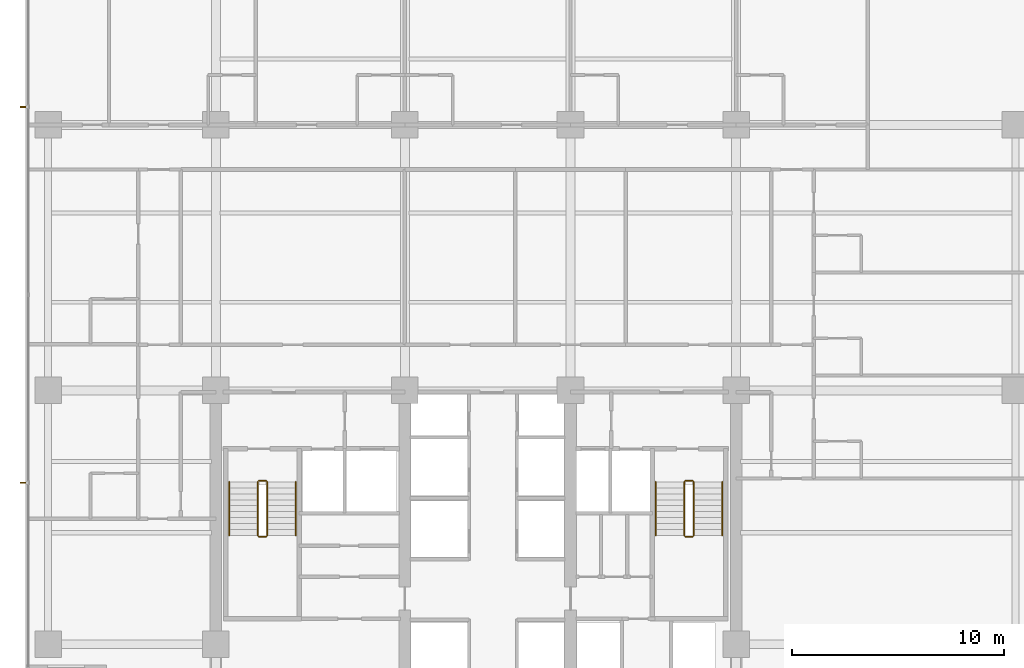
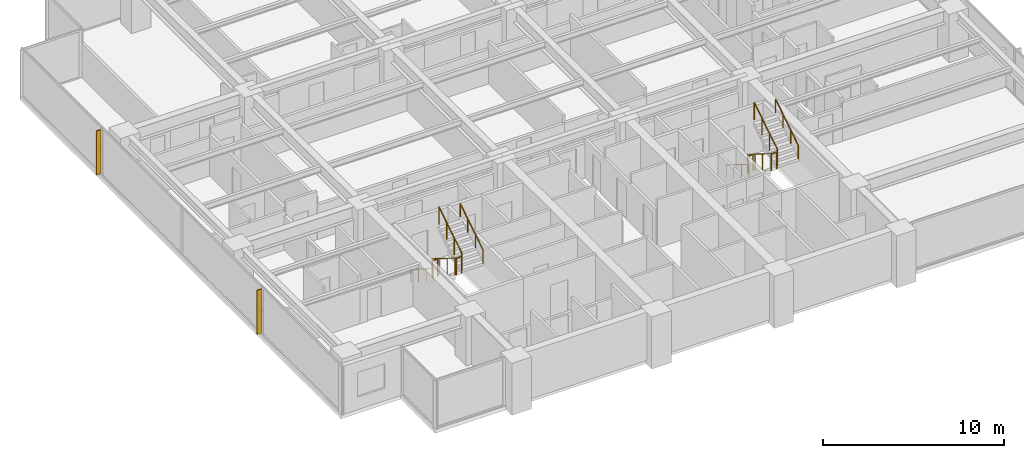
# One storey, part 16 of 17: 12 railings, 2 shading devices.
"""IFC4 building model written with IfcOpenShell, lengths in metres."""

from ifc_helpers import new_model, si_unit, direction, frame, origin, origin_2d, place, context, subcontext, project, spatial, polyline, circle, outline, extrude, material, layer, layer_set, type_object, element, save


model = new_model("IFC4")

# Units and contexts
model_context = context("Model", 3, precision=1e-05, world=origin(), true_north=direction((0.0, 1.0)))
body_context = subcontext(model_context, "Body", "Model", "MODEL_VIEW")
ifc_project = project(units=[si_unit("LENGTHUNIT", "METRE"), si_unit("AREAUNIT", "SQUARE_METRE"), si_unit("VOLUMEUNIT", "CUBIC_METRE"), si_unit("PLANEANGLEUNIT", "RADIAN"), si_unit("MASSUNIT", "GRAM", prefix="KILO")], contexts=[model_context])

# Site, building, storey
site_placement = place(None, origin())
site = spatial("IfcSite", under=ifc_project, at=site_placement, CompositionType="ELEMENT")
building_placement = place(site_placement, origin())
building = spatial("IfcBuilding", under=site, at=building_placement, Name="Qalmaran Belvedere Hotel", CompositionType="ELEMENT")
storey_placement = place(building_placement, frame((0.0, 0.0, 88.199951171875)))
storey = spatial("IfcBuildingStorey", under=building, at=storey_placement, Name="L21", CompositionType="ELEMENT", Elevation=88.199951171875)

# Shading devices
ifc_material_1 = material(Name="Anodised Bronze Aluminium", Category="aluminium")
ifc_layer = layer(ifc_material_1, 0.06494140625, Name="Anodised Bronze Aluminium")
ifc_layer_set = layer_set([ifc_layer], Name="Anodised Bronze Aluminium")
shading_device_type = type_object("IfcShadingDeviceType", Name="FIN-BRNZ-300", PredefinedType="USERDEFINED", material=ifc_layer_set)
shading_device_1_placement = place(storey_placement, frame((0.0, 0.0, 0.16015625)))
element("IfcShadingDevice", 1, at=shading_device_1_placement, inside=storey, type_object=shading_device_type, Name="L21 Bronze Fin 1", ObjectType="FIN", PredefinedType="USERDEFINED", context=body_context, shape_type="SweptSolid", body=[
    extrude(outline(polyline([(11.3798828125, 33.882568359375), (11.080078125, 33.882568359375), (11.080078125, 33.8173828125), (11.3798828125, 33.8173828125), (11.3798828125, 33.882568359375)])), origin(), (0.0, 0.0, 1.0), 2.9599609375),
])
shading_device_2_placement = place(storey_placement, frame((0.0, 0.0, 0.16015625)))
element("IfcShadingDevice", 2, at=shading_device_2_placement, inside=storey, type_object=shading_device_type, Name="L21 Bronze Fin 3", ObjectType="FIN", PredefinedType="USERDEFINED", context=body_context, shape_type="SweptSolid", body=[
    extrude(outline(polyline([(11.3798828125, 16.1826171875), (11.080078125, 16.1826171875), (11.080078125, 16.117431640625), (11.3798828125, 16.117431640625), (11.3798828125, 16.1826171875)])), origin(), (0.0, 0.0, 1.0), 2.9599609375),
])

# Railings
ifc_material_2 = material(Name="Stainless Steel 1.4401", Category="steel")
railing_type_1 = type_object("IfcRailingType", Name="RLG-STAIR-GUARD-1150", PredefinedType="GUARDRAIL", material=ifc_material_2)
railing_1_placement = place(storey_placement, frame((22.280029296875, 16.18994140625, 0.175048828125)))
element("IfcRailing", 3, at=railing_1_placement, inside=storey, type_object=railing_type_1, Name="L21 ST-1 stair guard 1", PredefinedType="GUARDRAIL", context=body_context, shape_type="SweptSolid", body=[
    extrude(circle(Radius=0.02392578125, at=origin_2d()), frame((0.0, 0.0, 1.1259765625), z_axis=(0.0, -0.848007534815, 0.529984170421), x_axis=(1.0, 0.0, 0.0)), (0.0, 0.0, 1.0), 2.9716796875),
    extrude(circle(Radius=0.02099609375, at=origin_2d()), origin(), (0.0, 0.0, 1.0), 1.101806640625),
    extrude(circle(Radius=0.02099609375, at=origin_2d()), frame((0.0, -0.840087890625, 0.52490234375)), (0.0, 0.0, 1.0), 1.101806640625),
    extrude(circle(Radius=0.02099609375, at=origin_2d()), frame((0.0, -1.679931640625, 1.050048828125)), (0.0, 0.0, 1.0), 1.101806640625),
    extrude(circle(Radius=0.02099609375, at=origin_2d()), frame((0.0, -2.52001953125, 1.574951171875)), (0.0, 0.0, 1.0), 1.101806640625),
])
railing_2_placement = place(storey_placement, frame((22.330078125, 13.6201171875, 1.75)))
element("IfcRailing", 4, at=railing_2_placement, inside=storey, type_object=railing_type_1, Name="L21 ST-1 stair guard 2", PredefinedType="GUARDRAIL", context=body_context, shape_type="SweptSolid", body=[
    extrude(circle(Radius=0.02392578125, at=origin_2d()), frame((0.0, 0.0, 1.1259765625), z_axis=(1.0, 0.0, 0.0), x_axis=(0.0, 1.0, 0.0)), (0.0, 0.0, 1.0), 0.33984375),
    extrude(circle(Radius=0.02099609375, at=origin_2d()), origin(), (0.0, 0.0, 1.0), 1.101806640625),
    extrude(circle(Radius=0.02099609375, at=origin_2d()), frame((0.33984375, 0.0, 0.0)), (0.0, 0.0, 1.0), 1.101806640625),
])
railing_3_placement = place(storey_placement, frame((22.719970703125, 13.669921875, 1.925048828125)))
element("IfcRailing", 5, at=railing_3_placement, inside=storey, type_object=railing_type_1, Name="L21 ST-1 stair guard 3", PredefinedType="GUARDRAIL", context=body_context, shape_type="SweptSolid", body=[
    extrude(circle(Radius=0.02392578125, at=origin_2d()), frame((0.0, 0.0, 1.1259765625), z_axis=(0.0, 0.848007534815, 0.529984170421), x_axis=(-1.0, 0.0, 0.0)), (0.0, 0.0, 1.0), 2.9716796875),
    extrude(circle(Radius=0.02099609375, at=origin_2d()), origin(), (0.0, 0.0, 1.0), 1.101806640625),
    extrude(circle(Radius=0.02099609375, at=origin_2d()), frame((0.0, 0.840087890625, 0.52490234375)), (0.0, 0.0, 1.0), 1.101806640625),
    extrude(circle(Radius=0.02099609375, at=origin_2d()), frame((0.0, 1.679931640625, 1.050048828125)), (0.0, 0.0, 1.0), 1.101806640625),
    extrude(circle(Radius=0.02099609375, at=origin_2d()), frame((0.0, 2.52001953125, 1.574951171875)), (0.0, 0.0, 1.0), 1.101806640625),
])
railing_4_placement = place(storey_placement, frame((22.330078125, 16.239990234375, 0.0)))
element("IfcRailing", 6, at=railing_4_placement, inside=storey, type_object=railing_type_1, Name="L21 ST-1 stair guard 4", PredefinedType="GUARDRAIL", context=body_context, shape_type="SweptSolid", body=[
    extrude(circle(Radius=0.02392578125, at=origin_2d()), frame((0.0, 0.0, 1.1259765625), z_axis=(1.0, 0.0, 0.0), x_axis=(0.0, 1.0, 0.0)), (0.0, 0.0, 1.0), 0.33984375),
    extrude(circle(Radius=0.02099609375, at=origin_2d()), origin(), (0.0, 0.0, 1.0), 1.101806640625),
    extrude(circle(Radius=0.02099609375, at=origin_2d()), frame((0.33984375, 0.0, 0.0)), (0.0, 0.0, 1.0), 1.101806640625),
])
railing_5_placement = place(storey_placement, frame((42.360107421875, 16.18994140625, 0.175048828125)))
element("IfcRailing", 7, at=railing_5_placement, inside=storey, type_object=railing_type_1, Name="L21 ST-2 stair guard 1", PredefinedType="GUARDRAIL", context=body_context, shape_type="SweptSolid", body=[
    extrude(circle(Radius=0.02392578125, at=origin_2d()), frame((0.0, 0.0, 1.1259765625), z_axis=(0.0, -0.848007534815, 0.529984170421), x_axis=(1.0, 0.0, 0.0)), (0.0, 0.0, 1.0), 2.9716796875),
    extrude(circle(Radius=0.02099609375, at=origin_2d()), origin(), (0.0, 0.0, 1.0), 1.101806640625),
    extrude(circle(Radius=0.02099609375, at=origin_2d()), frame((0.0, -0.840087890625, 0.52490234375)), (0.0, 0.0, 1.0), 1.101806640625),
    extrude(circle(Radius=0.02099609375, at=origin_2d()), frame((0.0, -1.679931640625, 1.050048828125)), (0.0, 0.0, 1.0), 1.101806640625),
    extrude(circle(Radius=0.02099609375, at=origin_2d()), frame((0.0, -2.52001953125, 1.574951171875)), (0.0, 0.0, 1.0), 1.101806640625),
])
railing_6_placement = place(storey_placement, frame((42.409912109375, 13.6201171875, 1.75)))
element("IfcRailing", 8, at=railing_6_placement, inside=storey, type_object=railing_type_1, Name="L21 ST-2 stair guard 2", PredefinedType="GUARDRAIL", context=body_context, shape_type="SweptSolid", body=[
    extrude(circle(Radius=0.02392578125, at=origin_2d()), frame((0.0, 0.0, 1.1259765625), z_axis=(1.0, 0.0, 0.0), x_axis=(0.0, 1.0, 0.0)), (0.0, 0.0, 1.0), 0.340087890625),
    extrude(circle(Radius=0.02099609375, at=origin_2d()), origin(), (0.0, 0.0, 1.0), 1.101806640625),
    extrude(circle(Radius=0.02099609375, at=origin_2d()), frame((0.340087890625, 0.0, 0.0)), (0.0, 0.0, 1.0), 1.101806640625),
])
railing_7_placement = place(storey_placement, frame((42.800048828125, 13.669921875, 1.925048828125)))
element("IfcRailing", 9, at=railing_7_placement, inside=storey, type_object=railing_type_1, Name="L21 ST-2 stair guard 3", PredefinedType="GUARDRAIL", context=body_context, shape_type="SweptSolid", body=[
    extrude(circle(Radius=0.02392578125, at=origin_2d()), frame((0.0, 0.0, 1.1259765625), z_axis=(0.0, 0.848007534815, 0.529984170421), x_axis=(-1.0, 0.0, 0.0)), (0.0, 0.0, 1.0), 2.9716796875),
    extrude(circle(Radius=0.02099609375, at=origin_2d()), origin(), (0.0, 0.0, 1.0), 1.101806640625),
    extrude(circle(Radius=0.02099609375, at=origin_2d()), frame((0.0, 0.840087890625, 0.52490234375)), (0.0, 0.0, 1.0), 1.101806640625),
    extrude(circle(Radius=0.02099609375, at=origin_2d()), frame((0.0, 1.679931640625, 1.050048828125)), (0.0, 0.0, 1.0), 1.101806640625),
    extrude(circle(Radius=0.02099609375, at=origin_2d()), frame((0.0, 2.52001953125, 1.574951171875)), (0.0, 0.0, 1.0), 1.101806640625),
])
railing_8_placement = place(storey_placement, frame((42.409912109375, 16.239990234375, 0.0)))
element("IfcRailing", 10, at=railing_8_placement, inside=storey, type_object=railing_type_1, Name="L21 ST-2 stair guard 4", PredefinedType="GUARDRAIL", context=body_context, shape_type="SweptSolid", body=[
    extrude(circle(Radius=0.02392578125, at=origin_2d()), frame((0.0, 0.0, 1.1259765625), z_axis=(1.0, 0.0, 0.0), x_axis=(0.0, 1.0, 0.0)), (0.0, 0.0, 1.0), 0.340087890625),
    extrude(circle(Radius=0.02099609375, at=origin_2d()), origin(), (0.0, 0.0, 1.0), 1.101806640625),
    extrude(circle(Radius=0.02099609375, at=origin_2d()), frame((0.340087890625, 0.0, 0.0)), (0.0, 0.0, 1.0), 1.101806640625),
])
railing_type_2 = type_object("IfcRailingType", Name="RLG-STAIR-HAND-910", PredefinedType="HANDRAIL", material=ifc_material_2)
railing_9_placement = place(storey_placement, frame((20.929931640625, 16.18994140625, 0.175048828125)))
element("IfcRailing", 11, at=railing_9_placement, inside=storey, type_object=railing_type_2, Name="L21 ST-1 stair handrail 1", PredefinedType="HANDRAIL", context=body_context, shape_type="SweptSolid", body=[
    extrude(circle(Radius=0.02392578125, at=origin_2d()), frame((0.0, 0.0, 0.8857421875), z_axis=(0.0, -0.848007534815, 0.529984170421), x_axis=(1.0, 0.0, 0.0)), (0.0, 0.0, 1.0), 2.9716796875),
    extrude(circle(Radius=0.02099609375, at=origin_2d()), origin(), (0.0, 0.0, 1.0), 0.86181640625),
    extrude(circle(Radius=0.02099609375, at=origin_2d()), frame((0.0, -0.840087890625, 0.52490234375)), (0.0, 0.0, 1.0), 0.86181640625),
    extrude(circle(Radius=0.02099609375, at=origin_2d()), frame((0.0, -1.679931640625, 1.050048828125)), (0.0, 0.0, 1.0), 0.86181640625),
    extrude(circle(Radius=0.02099609375, at=origin_2d()), frame((0.0, -2.52001953125, 1.574951171875)), (0.0, 0.0, 1.0), 0.86181640625),
])
railing_10_placement = place(storey_placement, frame((24.070068359375, 13.669921875, 1.925048828125)))
element("IfcRailing", 12, at=railing_10_placement, inside=storey, type_object=railing_type_2, Name="L21 ST-1 stair handrail 2", PredefinedType="HANDRAIL", context=body_context, shape_type="SweptSolid", body=[
    extrude(circle(Radius=0.02392578125, at=origin_2d()), frame((0.0, 0.0, 0.8857421875), z_axis=(0.0, 0.848007534815, 0.529984170421), x_axis=(-1.0, 0.0, 0.0)), (0.0, 0.0, 1.0), 2.9716796875),
    extrude(circle(Radius=0.02099609375, at=origin_2d()), origin(), (0.0, 0.0, 1.0), 0.86181640625),
    extrude(circle(Radius=0.02099609375, at=origin_2d()), frame((0.0, 0.840087890625, 0.52490234375)), (0.0, 0.0, 1.0), 0.86181640625),
    extrude(circle(Radius=0.02099609375, at=origin_2d()), frame((0.0, 1.679931640625, 1.050048828125)), (0.0, 0.0, 1.0), 0.86181640625),
    extrude(circle(Radius=0.02099609375, at=origin_2d()), frame((0.0, 2.52001953125, 1.574951171875)), (0.0, 0.0, 1.0), 0.86181640625),
])
railing_11_placement = place(storey_placement, frame((41.010009765625, 16.18994140625, 0.175048828125)))
element("IfcRailing", 13, at=railing_11_placement, inside=storey, type_object=railing_type_2, Name="L21 ST-2 stair handrail 1", PredefinedType="HANDRAIL", context=body_context, shape_type="SweptSolid", body=[
    extrude(circle(Radius=0.02392578125, at=origin_2d()), frame((0.0, 0.0, 0.8857421875), z_axis=(0.0, -0.848007534815, 0.529984170421), x_axis=(1.0, 0.0, 0.0)), (0.0, 0.0, 1.0), 2.9716796875),
    extrude(circle(Radius=0.02099609375, at=origin_2d()), origin(), (0.0, 0.0, 1.0), 0.86181640625),
    extrude(circle(Radius=0.02099609375, at=origin_2d()), frame((0.0, -0.840087890625, 0.52490234375)), (0.0, 0.0, 1.0), 0.86181640625),
    extrude(circle(Radius=0.02099609375, at=origin_2d()), frame((0.0, -1.679931640625, 1.050048828125)), (0.0, 0.0, 1.0), 0.86181640625),
    extrude(circle(Radius=0.02099609375, at=origin_2d()), frame((0.0, -2.52001953125, 1.574951171875)), (0.0, 0.0, 1.0), 0.86181640625),
])
railing_12_placement = place(storey_placement, frame((44.14990234375, 13.669921875, 1.925048828125)))
element("IfcRailing", 14, at=railing_12_placement, inside=storey, type_object=railing_type_2, Name="L21 ST-2 stair handrail 2", PredefinedType="HANDRAIL", context=body_context, shape_type="SweptSolid", body=[
    extrude(circle(Radius=0.02392578125, at=origin_2d()), frame((0.0, 0.0, 0.8857421875), z_axis=(0.0, 0.848007534815, 0.529984170421), x_axis=(-1.0, 0.0, 0.0)), (0.0, 0.0, 1.0), 2.9716796875),
    extrude(circle(Radius=0.02099609375, at=origin_2d()), origin(), (0.0, 0.0, 1.0), 0.86181640625),
    extrude(circle(Radius=0.02099609375, at=origin_2d()), frame((0.0, 0.840087890625, 0.52490234375)), (0.0, 0.0, 1.0), 0.86181640625),
    extrude(circle(Radius=0.02099609375, at=origin_2d()), frame((0.0, 1.679931640625, 1.050048828125)), (0.0, 0.0, 1.0), 0.86181640625),
    extrude(circle(Radius=0.02099609375, at=origin_2d()), frame((0.0, 2.52001953125, 1.574951171875)), (0.0, 0.0, 1.0), 0.86181640625),
])

save(model, "model.ifc")
